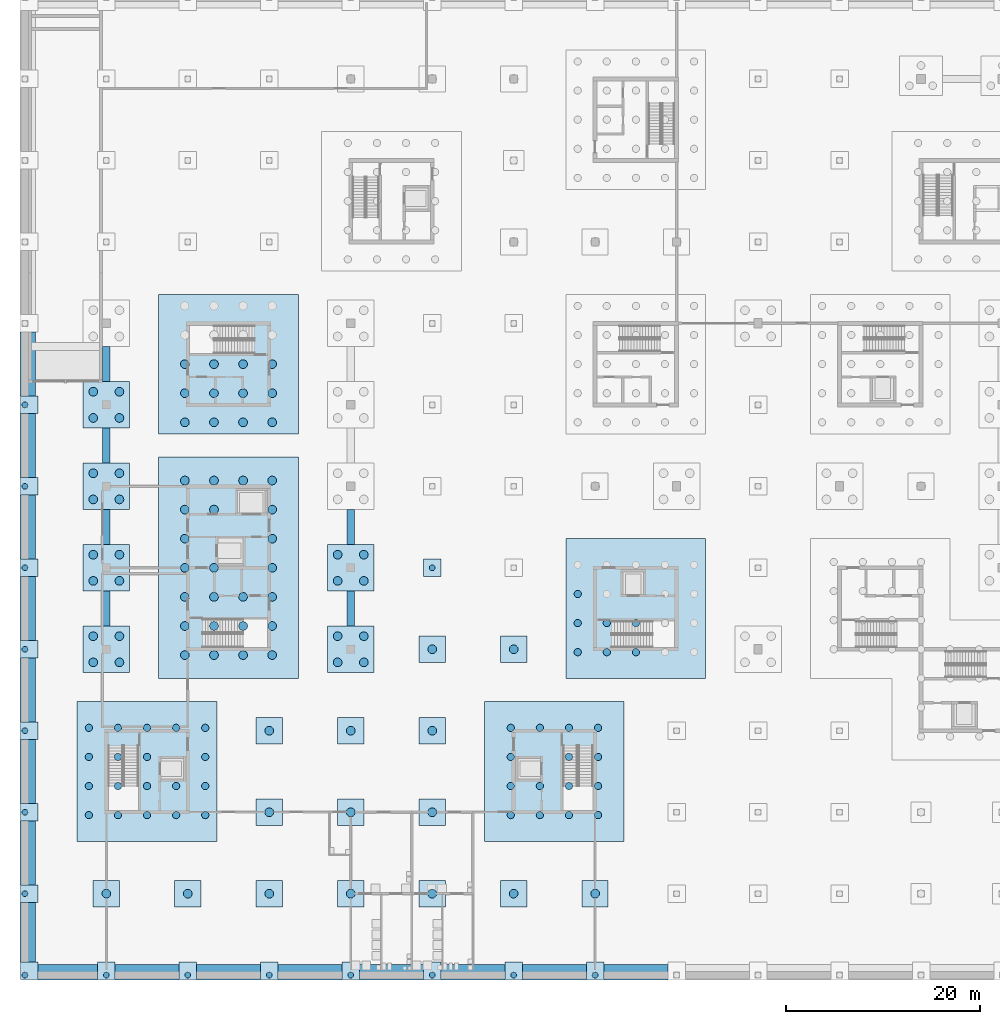
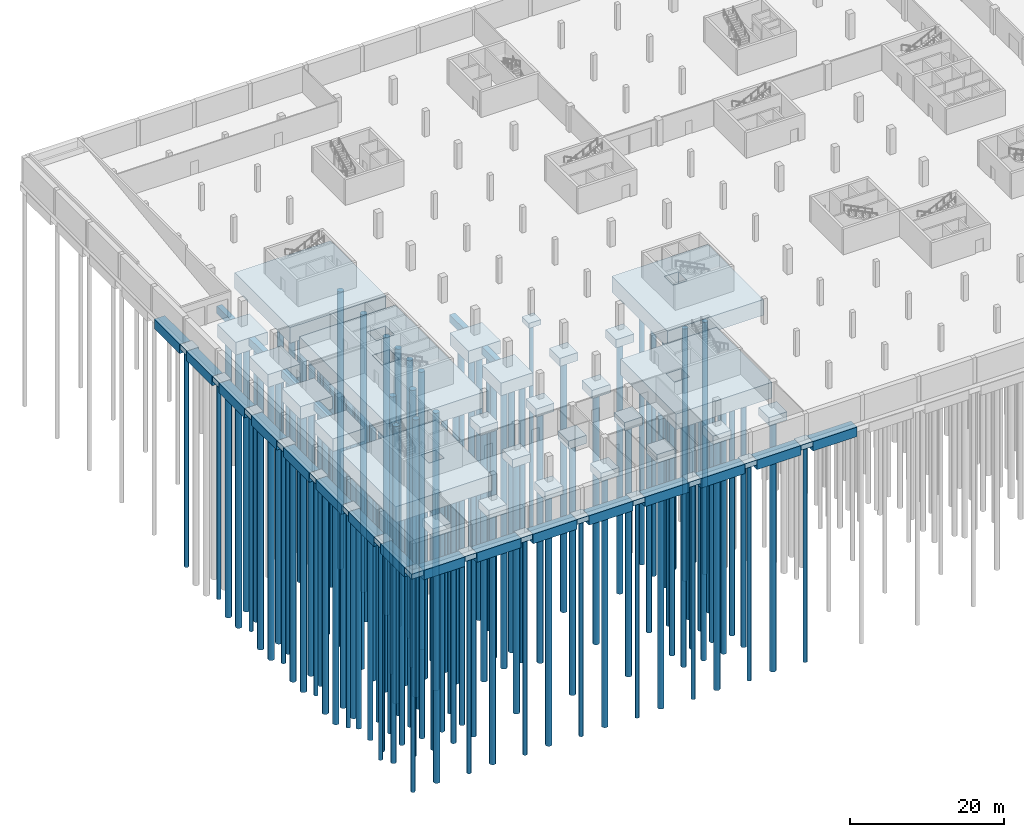
# One storey, part 1 of 23: 132 piles, 64 footings.
"""IFC4 building model written with IfcOpenShell, lengths in metres."""

from ifc_helpers import new_model, si_unit, direction, frame, origin, origin_2d, place, context, subcontext, project, spatial, polyline, rectangle, circle, outline, extrude, material, layer, layer_set, material_profile, profile_set, type_object, element, save


model = new_model("IFC4")

# Units and contexts
model_context = context("Model", 3, precision=1e-05, world=origin(), true_north=direction((0.0, 1.0)))
body_context = subcontext(model_context, "Body", "Model", "MODEL_VIEW")
ifc_project = project(units=[si_unit("LENGTHUNIT", "METRE"), si_unit("AREAUNIT", "SQUARE_METRE"), si_unit("VOLUMEUNIT", "CUBIC_METRE"), si_unit("PLANEANGLEUNIT", "RADIAN"), si_unit("MASSUNIT", "GRAM", prefix="KILO")], contexts=[model_context])

# Site, building, storey
site_placement = place(None, origin())
site = spatial("IfcSite", under=ifc_project, at=site_placement, CompositionType="ELEMENT")
building_placement = place(site_placement, origin())
building = spatial("IfcBuilding", under=site, at=building_placement, Name="Hlaing Beacon Police Headquarters", CompositionType="ELEMENT")
storey_placement = place(building_placement, frame((0.0, 0.0, -4.5)))
storey = spatial("IfcBuildingStorey", under=building, at=storey_placement, Name="B1", CompositionType="ELEMENT", Elevation=-4.5)

# Piles
ifc_material_1 = material(Name="Concrete C40/50", Category="concrete")
ifc_material_profile_1 = material_profile(ifc_material_1, circle(Radius=0.300048828125, at=origin_2d()), Name="D600")
ifc_profile_set_1 = profile_set([ifc_material_profile_1], Name="Concrete C40/50")
pile_type_1 = type_object("IfcPileType", Name="Bored pile D600 L34", PredefinedType="BORED", material=ifc_profile_set_1)
for number, where, z_axis, x_axis, name in (
    (1, (0.0, 0.0, -1.39990234375), (0.0, 0.0, -1.0), (1.0, 0.0, 0.0), "STR-PILE-A1"),
    (2, (0.0, 8.39990234375, -1.39990234375), (0.0, 0.0, -1.0), (1.0, 0.0, 0.0), "STR-PILE-A2"),
    (3, (0.0, 16.800048828125, -1.39990234375), (0.0, 0.0, -1.0), (1.0, 0.0, 0.0), "STR-PILE-A3"),
    (4, (0.0, 25.199951171875, -1.39990234375), (0.0, 0.0, -1.0), (1.0, 0.0, 0.0), "STR-PILE-A4"),
    (5, (0.0, 33.60009765625, -1.39990234375), (0.0, 0.0, -1.0), (1.0, 0.0, 0.0), "STR-PILE-A5"),
    (6, (0.0, 42.0, -1.39990234375), (0.0, 0.0, -1.0), (1.0, 0.0, 0.0), "STR-PILE-A6"),
    (7, (0.0, 50.39990234375, -1.39990234375), (0.0, 0.0, -1.0), (1.0, 0.0, 0.0), "STR-PILE-A7"),
    (8, (0.0, 58.800048828125, -1.39990234375), (0.0, 0.0, -1.0), (1.0, 0.0, 0.0), "STR-PILE-A8"),
    (9, (8.39990234375, 0.0, -1.39990234375), (0.0, 0.0, -1.0), (1.0, 0.0, 0.0), "STR-PILE-B1"),
    (10, (16.800048828125, 0.0, -1.39990234375), (0.0, 0.0, -1.0), (1.0, 0.0, 0.0), "STR-PILE-C1"),
    (11, (25.199951171875, 0.0, -1.39990234375), (0.0, 0.0, -1.0), (1.0, 0.0, 0.0), "STR-PILE-D1"),
    (12, (33.60009765625, 0.0, -1.39990234375), (0.0, 0.0, -1.0), (1.0, 0.0, 0.0), "STR-PILE-E1"),
    (13, (42.0, 0.0, -1.39990234375), (0.0, 0.0, -1.0), (1.0, 0.0, 0.0), "STR-PILE-F1"),
    (14, (42.0, 42.0, -1.39990234375), (0.0, 0.0, -1.0), (1.0, 0.0, 0.0), "STR-PILE-F6"),
    (15, (50.39990234375, 0.0, -1.39990234375), (0.0, 0.0, -1.0), (1.0, 0.0, 0.0), "STR-PILE-G1"),
    (16, (58.800048828125, 0.0, -1.39990234375), (0.0, 0.0, -1.0), (1.0, 0.0, 0.0), "STR-PILE-H1"),
):
    element("IfcPile", number, at=place(storey_placement, frame(where, z_axis=z_axis, x_axis=x_axis)), inside=storey, type_object=pile_type_1, Name=name, PredefinedType="BORED", context=body_context, shape_type="SweptSolid", body=[
        extrude(circle(Radius=0.300048828125, at=origin_2d()), origin(), (0.0, 0.0, 1.0), 34.0),
    ])
ifc_material_2 = material(Name="Concrete C40/50", Category="concrete")
ifc_material_profile_2 = material_profile(ifc_material_2, circle(Radius=0.375, at=origin_2d()), Name="D750")
ifc_profile_set_2 = profile_set([ifc_material_profile_2], Name="Concrete C40/50")
pile_type_2 = type_object("IfcPileType", Name="Bored pile D750 L40", PredefinedType="BORED", material=ifc_profile_set_2)
for number, where, z_axis, x_axis, name in (
    (17, (57.0, 33.300048828125, -3.10009765625), (0.0, 0.0, -1.0), (1.0, 0.0, 0.0), "STR-PILE-RFC1a-0101"),
    (18, (57.0, 36.300048828125, -3.10009765625), (0.0, 0.0, -1.0), (1.0, 0.0, 0.0), "STR-PILE-RFC1a-0102"),
    (19, (57.0, 39.300048828125, -3.10009765625), (0.0, 0.0, -1.0), (1.0, 0.0, 0.0), "STR-PILE-RFC1a-0103"),
    (20, (60.0, 33.300048828125, -3.10009765625), (0.0, 0.0, -1.0), (1.0, 0.0, 0.0), "STR-PILE-RFC1a-0201"),
    (21, (60.0, 36.300048828125, -3.10009765625), (0.0, 0.0, -1.0), (1.0, 0.0, 0.0), "STR-PILE-RFC1a-0202"),
    (22, (63.0, 33.300048828125, -3.10009765625), (0.0, 0.0, -1.0), (1.0, 0.0, 0.0), "STR-PILE-RFC1a-0301"),
    (23, (63.0, 36.300048828125, -3.10009765625), (0.0, 0.0, -1.0), (1.0, 0.0, 0.0), "STR-PILE-RFC1a-0302"),
    (24, (6.60009765625, 16.5, -3.10009765625), (0.0, 0.0, -1.0), (1.0, 0.0, 0.0), "STR-PILE-RFC4a-0101"),
    (25, (6.60009765625, 19.5, -3.10009765625), (0.0, 0.0, -1.0), (1.0, 0.0, 0.0), "STR-PILE-RFC4a-0102"),
    (26, (6.60009765625, 22.5, -3.10009765625), (0.0, 0.0, -1.0), (1.0, 0.0, 0.0), "STR-PILE-RFC4a-0103"),
    (27, (6.60009765625, 25.5, -3.10009765625), (0.0, 0.0, -1.0), (1.0, 0.0, 0.0), "STR-PILE-RFC4a-0104"),
    (28, (9.60009765625, 16.5, -3.10009765625), (0.0, 0.0, -1.0), (1.0, 0.0, 0.0), "STR-PILE-RFC4a-0201"),
    (29, (9.60009765625, 19.5, -3.10009765625), (0.0, 0.0, -1.0), (1.0, 0.0, 0.0), "STR-PILE-RFC4a-0202"),
    (30, (9.60009765625, 22.5, -3.10009765625), (0.0, 0.0, -1.0), (1.0, 0.0, 0.0), "STR-PILE-RFC4a-0203"),
    (31, (9.60009765625, 25.5, -3.10009765625), (0.0, 0.0, -1.0), (1.0, 0.0, 0.0), "STR-PILE-RFC4a-0204"),
    (32, (12.60009765625, 16.5, -3.10009765625), (0.0, 0.0, -1.0), (1.0, 0.0, 0.0), "STR-PILE-RFC4a-0301"),
    (33, (12.60009765625, 19.5, -3.10009765625), (0.0, 0.0, -1.0), (1.0, 0.0, 0.0), "STR-PILE-RFC4a-0302"),
    (34, (12.60009765625, 22.5, -3.10009765625), (0.0, 0.0, -1.0), (1.0, 0.0, 0.0), "STR-PILE-RFC4a-0303"),
    (35, (12.60009765625, 25.5, -3.10009765625), (0.0, 0.0, -1.0), (1.0, 0.0, 0.0), "STR-PILE-RFC4a-0304"),
    (36, (15.60009765625, 16.5, -3.10009765625), (0.0, 0.0, -1.0), (1.0, 0.0, 0.0), "STR-PILE-RFC4a-0401"),
    (37, (15.60009765625, 19.5, -3.10009765625), (0.0, 0.0, -1.0), (1.0, 0.0, 0.0), "STR-PILE-RFC4a-0402"),
    (38, (15.60009765625, 25.5, -3.10009765625), (0.0, 0.0, -1.0), (1.0, 0.0, 0.0), "STR-PILE-RFC4a-0404"),
    (39, (18.60009765625, 16.5, -3.10009765625), (0.0, 0.0, -1.0), (1.0, 0.0, 0.0), "STR-PILE-RFC4a-0501"),
    (40, (18.60009765625, 19.5, -3.10009765625), (0.0, 0.0, -1.0), (1.0, 0.0, 0.0), "STR-PILE-RFC4a-0502"),
    (41, (18.60009765625, 22.5, -3.10009765625), (0.0, 0.0, -1.0), (1.0, 0.0, 0.0), "STR-PILE-RFC4a-0503"),
    (42, (18.60009765625, 25.5, -3.10009765625), (0.0, 0.0, -1.0), (1.0, 0.0, 0.0), "STR-PILE-RFC4a-0504"),
    (43, (50.10009765625, 16.5, -3.10009765625), (0.0, 0.0, -1.0), (1.0, 0.0, 0.0), "STR-PILE-RFC4b-0101"),
    (44, (50.10009765625, 19.5, -3.10009765625), (0.0, 0.0, -1.0), (1.0, 0.0, 0.0), "STR-PILE-RFC4b-0102"),
    (45, (50.10009765625, 22.5, -3.10009765625), (0.0, 0.0, -1.0), (1.0, 0.0, 0.0), "STR-PILE-RFC4b-0103"),
    (46, (50.10009765625, 25.5, -3.10009765625), (0.0, 0.0, -1.0), (1.0, 0.0, 0.0), "STR-PILE-RFC4b-0104"),
    (47, (53.10009765625, 16.5, -3.10009765625), (0.0, 0.0, -1.0), (1.0, 0.0, 0.0), "STR-PILE-RFC4b-0201"),
    (48, (53.10009765625, 19.5, -3.10009765625), (0.0, 0.0, -1.0), (1.0, 0.0, 0.0), "STR-PILE-RFC4b-0202"),
    (49, (53.10009765625, 25.5, -3.10009765625), (0.0, 0.0, -1.0), (1.0, 0.0, 0.0), "STR-PILE-RFC4b-0204"),
    (50, (56.10009765625, 16.5, -3.10009765625), (0.0, 0.0, -1.0), (1.0, 0.0, 0.0), "STR-PILE-RFC4b-0301"),
    (51, (56.10009765625, 19.5, -3.10009765625), (0.0, 0.0, -1.0), (1.0, 0.0, 0.0), "STR-PILE-RFC4b-0302"),
    (52, (56.10009765625, 22.5, -3.10009765625), (0.0, 0.0, -1.0), (1.0, 0.0, 0.0), "STR-PILE-RFC4b-0303"),
    (53, (56.10009765625, 25.5, -3.10009765625), (0.0, 0.0, -1.0), (1.0, 0.0, 0.0), "STR-PILE-RFC4b-0304"),
    (54, (59.10009765625, 16.5, -3.10009765625), (0.0, 0.0, -1.0), (1.0, 0.0, 0.0), "STR-PILE-RFC4b-0401"),
    (55, (59.10009765625, 19.5, -3.10009765625), (0.0, 0.0, -1.0), (1.0, 0.0, 0.0), "STR-PILE-RFC4b-0402"),
    (56, (59.10009765625, 22.5, -3.10009765625), (0.0, 0.0, -1.0), (1.0, 0.0, 0.0), "STR-PILE-RFC4b-0403"),
    (57, (59.10009765625, 25.5, -3.10009765625), (0.0, 0.0, -1.0), (1.0, 0.0, 0.0), "STR-PILE-RFC4b-0404"),
):
    element("IfcPile", number, at=place(storey_placement, frame(where, z_axis=z_axis, x_axis=x_axis)), inside=storey, type_object=pile_type_2, Name=name, PredefinedType="BORED", context=body_context, shape_type="SweptSolid", body=[
        extrude(circle(Radius=0.375, at=origin_2d()), origin(), (0.0, 0.0, 1.0), 40.0),
    ])
ifc_material_3 = material(Name="Concrete C40/50", Category="concrete")
ifc_material_profile_3 = material_profile(ifc_material_3, circle(Radius=0.449951171875, at=origin_2d()), Name="D900")
ifc_profile_set_3 = profile_set([ifc_material_profile_3], Name="Concrete C40/50")
pile_type_3 = type_object("IfcPileType", Name="Bored pile D900 L40", PredefinedType="BORED", material=ifc_profile_set_3)
for number, where, z_axis, x_axis, name in (
    (58, (8.39990234375, 8.39990234375, -1.89990234375), (0.0, 0.0, -1.0), (1.0, 0.0, 0.0), "STR-PILE-B2"),
    (59, (16.800048828125, 8.39990234375, -1.89990234375), (0.0, 0.0, -1.0), (1.0, 0.0, 0.0), "STR-PILE-C2"),
    (60, (25.199951171875, 8.39990234375, -1.89990234375), (0.0, 0.0, -1.0), (1.0, 0.0, 0.0), "STR-PILE-D2"),
    (61, (25.199951171875, 16.800048828125, -1.89990234375), (0.0, 0.0, -1.0), (1.0, 0.0, 0.0), "STR-PILE-D3"),
    (62, (25.199951171875, 25.199951171875, -1.89990234375), (0.0, 0.0, -1.0), (1.0, 0.0, 0.0), "STR-PILE-D4"),
    (63, (33.60009765625, 8.39990234375, -1.89990234375), (0.0, 0.0, -1.0), (1.0, 0.0, 0.0), "STR-PILE-E2"),
    (64, (33.60009765625, 16.800048828125, -1.89990234375), (0.0, 0.0, -1.0), (1.0, 0.0, 0.0), "STR-PILE-E3"),
    (65, (33.60009765625, 25.199951171875, -1.89990234375), (0.0, 0.0, -1.0), (1.0, 0.0, 0.0), "STR-PILE-E4"),
    (66, (42.0, 8.39990234375, -1.89990234375), (0.0, 0.0, -1.0), (1.0, 0.0, 0.0), "STR-PILE-F2"),
    (67, (42.0, 16.800048828125, -1.89990234375), (0.0, 0.0, -1.0), (1.0, 0.0, 0.0), "STR-PILE-F3"),
    (68, (42.0, 25.199951171875, -1.89990234375), (0.0, 0.0, -1.0), (1.0, 0.0, 0.0), "STR-PILE-F4"),
    (69, (42.0, 33.60009765625, -1.89990234375), (0.0, 0.0, -1.0), (1.0, 0.0, 0.0), "STR-PILE-F5"),
    (70, (50.39990234375, 8.39990234375, -1.89990234375), (0.0, 0.0, -1.0), (1.0, 0.0, 0.0), "STR-PILE-G2"),
    (71, (50.39990234375, 33.60009765625, -1.89990234375), (0.0, 0.0, -1.0), (1.0, 0.0, 0.0), "STR-PILE-G5"),
    (72, (58.800048828125, 8.39990234375, -1.89990234375), (0.0, 0.0, -1.0), (1.0, 0.0, 0.0), "STR-PILE-H2"),
):
    element("IfcPile", number, at=place(storey_placement, frame(where, z_axis=z_axis, x_axis=x_axis)), inside=storey, type_object=pile_type_3, Name=name, PredefinedType="BORED", context=body_context, shape_type="SweptSolid", body=[
        extrude(circle(Radius=0.449951171875, at=origin_2d()), origin(), (0.0, 0.0, 1.0), 40.0),
    ])
ifc_material_4 = material(Name="Concrete C40/50", Category="concrete")
ifc_material_profile_4 = material_profile(ifc_material_4, circle(Radius=0.449951171875, at=origin_2d()), Name="D900")
ifc_profile_set_4 = profile_set([ifc_material_profile_4], Name="Concrete C40/50")
pile_type_4 = type_object("IfcPileType", Name="Bored pile D900 L44", PredefinedType="BORED", material=ifc_profile_set_4)
for number, where, z_axis, x_axis, name in (
    (73, (7.050048828125, 32.25, -2.60009765625), (0.0, 0.0, -1.0), (1.0, 0.0, 0.0), "STR-PILE-B5-1"),
    (74, (9.75, 32.25, -2.60009765625), (0.0, 0.0, -1.0), (1.0, 0.0, 0.0), "STR-PILE-B5-2"),
    (75, (9.75, 34.949951171875, -2.60009765625), (0.0, 0.0, -1.0), (1.0, 0.0, 0.0), "STR-PILE-B5-3"),
    (76, (7.050048828125, 34.949951171875, -2.60009765625), (0.0, 0.0, -1.0), (1.0, 0.0, 0.0), "STR-PILE-B5-4"),
    (77, (7.050048828125, 40.64990234375, -2.60009765625), (0.0, 0.0, -1.0), (1.0, 0.0, 0.0), "STR-PILE-B6-1"),
    (78, (9.75, 40.64990234375, -2.60009765625), (0.0, 0.0, -1.0), (1.0, 0.0, 0.0), "STR-PILE-B6-2"),
    (79, (9.75, 43.35009765625, -2.60009765625), (0.0, 0.0, -1.0), (1.0, 0.0, 0.0), "STR-PILE-B6-3"),
    (80, (7.050048828125, 43.35009765625, -2.60009765625), (0.0, 0.0, -1.0), (1.0, 0.0, 0.0), "STR-PILE-B6-4"),
    (81, (7.050048828125, 49.050048828125, -2.60009765625), (0.0, 0.0, -1.0), (1.0, 0.0, 0.0), "STR-PILE-B7-1"),
    (82, (9.75, 49.050048828125, -2.60009765625), (0.0, 0.0, -1.0), (1.0, 0.0, 0.0), "STR-PILE-B7-2"),
    (83, (9.75, 51.75, -2.60009765625), (0.0, 0.0, -1.0), (1.0, 0.0, 0.0), "STR-PILE-B7-3"),
    (84, (7.050048828125, 51.75, -2.60009765625), (0.0, 0.0, -1.0), (1.0, 0.0, 0.0), "STR-PILE-B7-4"),
    (85, (7.050048828125, 57.449951171875, -2.60009765625), (0.0, 0.0, -1.0), (1.0, 0.0, 0.0), "STR-PILE-B8-1"),
    (86, (9.75, 57.449951171875, -2.60009765625), (0.0, 0.0, -1.0), (1.0, 0.0, 0.0), "STR-PILE-B8-2"),
    (87, (9.75, 60.14990234375, -2.60009765625), (0.0, 0.0, -1.0), (1.0, 0.0, 0.0), "STR-PILE-B8-3"),
    (88, (7.050048828125, 60.14990234375, -2.60009765625), (0.0, 0.0, -1.0), (1.0, 0.0, 0.0), "STR-PILE-B8-4"),
    (89, (32.25, 32.25, -2.60009765625), (0.0, 0.0, -1.0), (1.0, 0.0, 0.0), "STR-PILE-E5-1"),
    (90, (34.949951171875, 32.25, -2.60009765625), (0.0, 0.0, -1.0), (1.0, 0.0, 0.0), "STR-PILE-E5-2"),
    (91, (34.949951171875, 34.949951171875, -2.60009765625), (0.0, 0.0, -1.0), (1.0, 0.0, 0.0), "STR-PILE-E5-3"),
    (92, (32.25, 34.949951171875, -2.60009765625), (0.0, 0.0, -1.0), (1.0, 0.0, 0.0), "STR-PILE-E5-4"),
    (93, (32.25, 40.64990234375, -2.60009765625), (0.0, 0.0, -1.0), (1.0, 0.0, 0.0), "STR-PILE-E6-1"),
    (94, (34.949951171875, 40.64990234375, -2.60009765625), (0.0, 0.0, -1.0), (1.0, 0.0, 0.0), "STR-PILE-E6-2"),
    (95, (34.949951171875, 43.35009765625, -2.60009765625), (0.0, 0.0, -1.0), (1.0, 0.0, 0.0), "STR-PILE-E6-3"),
    (96, (32.25, 43.35009765625, -2.60009765625), (0.0, 0.0, -1.0), (1.0, 0.0, 0.0), "STR-PILE-E6-4"),
    (97, (16.5, 33.0, -3.10009765625), (0.0, 0.0, -1.0), (1.0, 0.0, 0.0), "STR-PILE-RFC6L-0101"),
    (98, (16.5, 36.0, -3.10009765625), (0.0, 0.0, -1.0), (1.0, 0.0, 0.0), "STR-PILE-RFC6L-0102"),
    (99, (16.5, 39.0, -3.10009765625), (0.0, 0.0, -1.0), (1.0, 0.0, 0.0), "STR-PILE-RFC6L-0103"),
    (100, (16.5, 42.0, -3.10009765625), (0.0, 0.0, -1.0), (1.0, 0.0, 0.0), "STR-PILE-RFC6L-0104"),
    (101, (16.5, 45.0, -3.10009765625), (0.0, 0.0, -1.0), (1.0, 0.0, 0.0), "STR-PILE-RFC6L-0105"),
    (102, (16.5, 48.0, -3.10009765625), (0.0, 0.0, -1.0), (1.0, 0.0, 0.0), "STR-PILE-RFC6L-0106"),
    (103, (16.5, 51.0, -3.10009765625), (0.0, 0.0, -1.0), (1.0, 0.0, 0.0), "STR-PILE-RFC6L-0107"),
    (104, (19.5, 33.0, -3.10009765625), (0.0, 0.0, -1.0), (1.0, 0.0, 0.0), "STR-PILE-RFC6L-0201"),
    (105, (19.5, 36.0, -3.10009765625), (0.0, 0.0, -1.0), (1.0, 0.0, 0.0), "STR-PILE-RFC6L-0202"),
    (106, (19.5, 39.0, -3.10009765625), (0.0, 0.0, -1.0), (1.0, 0.0, 0.0), "STR-PILE-RFC6L-0203"),
    (107, (19.5, 42.0, -3.10009765625), (0.0, 0.0, -1.0), (1.0, 0.0, 0.0), "STR-PILE-RFC6L-0204"),
    (108, (19.5, 48.0, -3.10009765625), (0.0, 0.0, -1.0), (1.0, 0.0, 0.0), "STR-PILE-RFC6L-0206"),
    (109, (19.5, 51.0, -3.10009765625), (0.0, 0.0, -1.0), (1.0, 0.0, 0.0), "STR-PILE-RFC6L-0207"),
    (110, (22.5, 33.0, -3.10009765625), (0.0, 0.0, -1.0), (1.0, 0.0, 0.0), "STR-PILE-RFC6L-0301"),
    (111, (22.5, 36.0, -3.10009765625), (0.0, 0.0, -1.0), (1.0, 0.0, 0.0), "STR-PILE-RFC6L-0302"),
    (112, (22.5, 39.0, -3.10009765625), (0.0, 0.0, -1.0), (1.0, 0.0, 0.0), "STR-PILE-RFC6L-0303"),
    (113, (22.5, 51.0, -3.10009765625), (0.0, 0.0, -1.0), (1.0, 0.0, 0.0), "STR-PILE-RFC6L-0307"),
    (114, (25.5, 33.0, -3.10009765625), (0.0, 0.0, -1.0), (1.0, 0.0, 0.0), "STR-PILE-RFC6L-0401"),
    (115, (25.5, 36.0, -3.10009765625), (0.0, 0.0, -1.0), (1.0, 0.0, 0.0), "STR-PILE-RFC6L-0402"),
    (116, (25.5, 39.0, -3.10009765625), (0.0, 0.0, -1.0), (1.0, 0.0, 0.0), "STR-PILE-RFC6L-0403"),
    (117, (25.5, 42.0, -3.10009765625), (0.0, 0.0, -1.0), (1.0, 0.0, 0.0), "STR-PILE-RFC6L-0404"),
    (118, (25.5, 45.0, -3.10009765625), (0.0, 0.0, -1.0), (1.0, 0.0, 0.0), "STR-PILE-RFC6L-0405"),
    (119, (25.5, 48.0, -3.10009765625), (0.0, 0.0, -1.0), (1.0, 0.0, 0.0), "STR-PILE-RFC6L-0406"),
    (120, (25.5, 51.0, -3.10009765625), (0.0, 0.0, -1.0), (1.0, 0.0, 0.0), "STR-PILE-RFC6L-0407"),
    (121, (16.5, 57.0, -3.10009765625), (0.0, 0.0, -1.0), (1.0, 0.0, 0.0), "STR-PILE-RFC6N-0101"),
    (122, (16.5, 60.0, -3.10009765625), (0.0, 0.0, -1.0), (1.0, 0.0, 0.0), "STR-PILE-RFC6N-0102"),
    (123, (16.5, 63.0, -3.10009765625), (0.0, 0.0, -1.0), (1.0, 0.0, 0.0), "STR-PILE-RFC6N-0103"),
    (124, (19.5, 57.0, -3.10009765625), (0.0, 0.0, -1.0), (1.0, 0.0, 0.0), "STR-PILE-RFC6N-0201"),
    (125, (19.5, 60.0, -3.10009765625), (0.0, 0.0, -1.0), (1.0, 0.0, 0.0), "STR-PILE-RFC6N-0202"),
    (126, (19.5, 63.0, -3.10009765625), (0.0, 0.0, -1.0), (1.0, 0.0, 0.0), "STR-PILE-RFC6N-0203"),
    (127, (22.5, 57.0, -3.10009765625), (0.0, 0.0, -1.0), (1.0, 0.0, 0.0), "STR-PILE-RFC6N-0301"),
    (128, (22.5, 60.0, -3.10009765625), (0.0, 0.0, -1.0), (1.0, 0.0, 0.0), "STR-PILE-RFC6N-0302"),
    (129, (22.5, 63.0, -3.10009765625), (0.0, 0.0, -1.0), (1.0, 0.0, 0.0), "STR-PILE-RFC6N-0303"),
    (130, (25.5, 57.0, -3.10009765625), (0.0, 0.0, -1.0), (1.0, 0.0, 0.0), "STR-PILE-RFC6N-0401"),
    (131, (25.5, 60.0, -3.10009765625), (0.0, 0.0, -1.0), (1.0, 0.0, 0.0), "STR-PILE-RFC6N-0402"),
    (132, (25.5, 63.0, -3.10009765625), (0.0, 0.0, -1.0), (1.0, 0.0, 0.0), "STR-PILE-RFC6N-0403"),
):
    element("IfcPile", number, at=place(storey_placement, frame(where, z_axis=z_axis, x_axis=x_axis)), inside=storey, type_object=pile_type_4, Name=name, PredefinedType="BORED", context=body_context, shape_type="SweptSolid", body=[
        extrude(circle(Radius=0.449951171875, at=origin_2d()), origin(), (0.0, 0.0, 1.0), 44.0),
    ])

# Footings
ifc_material_5 = material(Name="Concrete C40/50", Category="concrete")
ifc_layer_1 = layer(ifc_material_5, 0.800048828125)
ifc_layer_set_1 = layer_set([ifc_layer_1], Name="Concrete C40/50")
footing_type_1 = type_object("IfcFootingType", Name="Pad footing 1800 x 1800 x 800", PredefinedType="PAD_FOOTING", material=ifc_layer_set_1)
for number, where, z_axis, x_axis, name in (
    (133, (0.449951171875, 0.449951171875, -1.39990234375), (0.0, 0.0, 1.0), (1.0, 0.0, 0.0), "STR-PAD-A1"),
    (134, (0.449951171875, 8.39990234375, -1.39990234375), (0.0, 0.0, 1.0), (1.0, 0.0, 0.0), "STR-PAD-A2"),
    (135, (0.449951171875, 16.800048828125, -1.39990234375), (0.0, 0.0, 1.0), (1.0, 0.0, 0.0), "STR-PAD-A3"),
    (136, (0.449951171875, 25.199951171875, -1.39990234375), (0.0, 0.0, 1.0), (1.0, 0.0, 0.0), "STR-PAD-A4"),
    (137, (0.449951171875, 33.60009765625, -1.39990234375), (0.0, 0.0, 1.0), (1.0, 0.0, 0.0), "STR-PAD-A5"),
    (138, (0.449951171875, 42.0, -1.39990234375), (0.0, 0.0, 1.0), (1.0, 0.0, 0.0), "STR-PAD-A6"),
    (139, (0.449951171875, 50.39990234375, -1.39990234375), (0.0, 0.0, 1.0), (1.0, 0.0, 0.0), "STR-PAD-A7"),
    (140, (0.449951171875, 58.800048828125, -1.39990234375), (0.0, 0.0, 1.0), (1.0, 0.0, 0.0), "STR-PAD-A8"),
    (141, (8.39990234375, 0.449951171875, -1.39990234375), (0.0, 0.0, 1.0), (1.0, 0.0, 0.0), "STR-PAD-B1"),
    (142, (16.800048828125, 0.449951171875, -1.39990234375), (0.0, 0.0, 1.0), (1.0, 0.0, 0.0), "STR-PAD-C1"),
    (143, (25.199951171875, 0.449951171875, -1.39990234375), (0.0, 0.0, 1.0), (1.0, 0.0, 0.0), "STR-PAD-D1"),
    (144, (33.60009765625, 0.449951171875, -1.39990234375), (0.0, 0.0, 1.0), (1.0, 0.0, 0.0), "STR-PAD-E1"),
    (145, (42.0, 0.449951171875, -1.39990234375), (0.0, 0.0, 1.0), (1.0, 0.0, 0.0), "STR-PAD-F1"),
    (146, (42.0, 42.0, -1.39990234375), (0.0, 0.0, 1.0), (1.0, 0.0, 0.0), "STR-PAD-F6"),
    (147, (50.39990234375, 0.449951171875, -1.39990234375), (0.0, 0.0, 1.0), (1.0, 0.0, 0.0), "STR-PAD-G1"),
    (148, (58.800048828125, 0.449951171875, -1.39990234375), (0.0, 0.0, 1.0), (1.0, 0.0, 0.0), "STR-PAD-H1"),
):
    element("IfcFooting", number, at=place(storey_placement, frame(where, z_axis=z_axis, x_axis=x_axis)), inside=storey, type_object=footing_type_1, Name=name, PredefinedType="PAD_FOOTING", context=body_context, shape_type="SweptSolid", body=[
        extrude(rectangle(XDim=1.800048828125, YDim=1.800048828125, at=origin_2d()), origin(), (0.0, 0.0, 1.0), 0.800048828125),
    ])
ifc_material_6 = material(Name="Concrete C40/50", Category="concrete")
ifc_layer_2 = layer(ifc_material_6, 1.300048828125)
ifc_layer_set_2 = layer_set([ifc_layer_2], Name="Concrete C40/50")
footing_type_2 = type_object("IfcFootingType", Name="Pad footing 2700 x 2700 x 1300", PredefinedType="PAD_FOOTING", material=ifc_layer_set_2)
for number, where, z_axis, x_axis, name in (
    (149, (8.39990234375, 8.39990234375, -1.89990234375), (0.0, 0.0, 1.0), (1.0, 0.0, 0.0), "STR-PAD-B2"),
    (150, (16.800048828125, 8.39990234375, -1.89990234375), (0.0, 0.0, 1.0), (1.0, 0.0, 0.0), "STR-PAD-C2"),
    (151, (25.199951171875, 8.39990234375, -1.89990234375), (0.0, 0.0, 1.0), (1.0, 0.0, 0.0), "STR-PAD-D2"),
    (152, (25.199951171875, 16.800048828125, -1.89990234375), (0.0, 0.0, 1.0), (1.0, 0.0, 0.0), "STR-PAD-D3"),
    (153, (25.199951171875, 25.199951171875, -1.89990234375), (0.0, 0.0, 1.0), (1.0, 0.0, 0.0), "STR-PAD-D4"),
    (154, (33.60009765625, 8.39990234375, -1.89990234375), (0.0, 0.0, 1.0), (1.0, 0.0, 0.0), "STR-PAD-E2"),
    (155, (33.60009765625, 16.800048828125, -1.89990234375), (0.0, 0.0, 1.0), (1.0, 0.0, 0.0), "STR-PAD-E3"),
    (156, (33.60009765625, 25.199951171875, -1.89990234375), (0.0, 0.0, 1.0), (1.0, 0.0, 0.0), "STR-PAD-E4"),
    (157, (42.0, 8.39990234375, -1.89990234375), (0.0, 0.0, 1.0), (1.0, 0.0, 0.0), "STR-PAD-F2"),
    (158, (42.0, 16.800048828125, -1.89990234375), (0.0, 0.0, 1.0), (1.0, 0.0, 0.0), "STR-PAD-F3"),
    (159, (42.0, 25.199951171875, -1.89990234375), (0.0, 0.0, 1.0), (1.0, 0.0, 0.0), "STR-PAD-F4"),
    (160, (42.0, 33.60009765625, -1.89990234375), (0.0, 0.0, 1.0), (1.0, 0.0, 0.0), "STR-PAD-F5"),
    (161, (50.39990234375, 8.39990234375, -1.89990234375), (0.0, 0.0, 1.0), (1.0, 0.0, 0.0), "STR-PAD-G2"),
    (162, (50.39990234375, 33.60009765625, -1.89990234375), (0.0, 0.0, 1.0), (1.0, 0.0, 0.0), "STR-PAD-G5"),
    (163, (58.800048828125, 8.39990234375, -1.89990234375), (0.0, 0.0, 1.0), (1.0, 0.0, 0.0), "STR-PAD-H2"),
):
    element("IfcFooting", number, at=place(storey_placement, frame(where, z_axis=z_axis, x_axis=x_axis)), inside=storey, type_object=footing_type_2, Name=name, PredefinedType="PAD_FOOTING", context=body_context, shape_type="SweptSolid", body=[
        extrude(rectangle(XDim=2.699951171875, YDim=2.699951171875, at=origin_2d()), origin(), (0.0, 0.0, 1.0), 1.300048828125),
    ])
ifc_material_7 = material(Name="Concrete C40/50", Category="concrete")
ifc_layer_3 = layer(ifc_material_7, 2.0)
ifc_layer_set_3 = layer_set([ifc_layer_3], Name="Concrete C40/50")
footing_type_3 = type_object("IfcFootingType", Name="Pile cap 4800 x 4800 x 2000", PredefinedType="PILE_CAP", material=ifc_layer_set_3)
for number, where, z_axis, x_axis, name in (
    (164, (8.39990234375, 33.60009765625, -2.60009765625), (0.0, 0.0, 1.0), (1.0, 0.0, 0.0), "STR-CAP-B5"),
    (165, (8.39990234375, 42.0, -2.60009765625), (0.0, 0.0, 1.0), (1.0, 0.0, 0.0), "STR-CAP-B6"),
    (166, (8.39990234375, 50.39990234375, -2.60009765625), (0.0, 0.0, 1.0), (1.0, 0.0, 0.0), "STR-CAP-B7"),
    (167, (8.39990234375, 58.800048828125, -2.60009765625), (0.0, 0.0, 1.0), (1.0, 0.0, 0.0), "STR-CAP-B8"),
    (168, (33.60009765625, 33.60009765625, -2.60009765625), (0.0, 0.0, 1.0), (1.0, 0.0, 0.0), "STR-CAP-E5"),
    (169, (33.60009765625, 42.0, -2.60009765625), (0.0, 0.0, 1.0), (1.0, 0.0, 0.0), "STR-CAP-E6"),
):
    element("IfcFooting", number, at=place(storey_placement, frame(where, z_axis=z_axis, x_axis=x_axis)), inside=storey, type_object=footing_type_3, Name=name, PredefinedType="PILE_CAP", context=body_context, shape_type="SweptSolid", body=[
        extrude(rectangle(XDim=4.800048828125, YDim=4.800048828125, at=origin_2d()), origin(), (0.0, 0.0, 1.0), 2.0),
    ])
ifc_material_8 = material(Name="Concrete C40/50", Category="concrete")
ifc_layer_4 = layer(ifc_material_8, 2.5)
ifc_layer_set_4 = layer_set([ifc_layer_4], Name="Concrete C40/50")
footing_type_4 = type_object("IfcFootingType", Name="Piled raft 2500 14400 x 14400", PredefinedType="PILE_CAP", material=ifc_layer_set_4)
footing_1_placement = place(storey_placement, frame((0.0, 0.0, -3.10009765625)))
element("IfcFooting", 170, at=footing_1_placement, inside=storey, type_object=footing_type_4, Name="STR-RAFT-C1a", PredefinedType="PILE_CAP", context=body_context, shape_type="SweptSolid", body=[
    extrude(outline(polyline([(70.199951171875, 30.60009765625), (55.800048828125, 30.60009765625), (55.800048828125, 45.0), (70.199951171875, 45.0), (70.199951171875, 30.60009765625)]), holes=[polyline([(63.800048828125, 39.25), (63.800048828125, 41.550048828125), (61.64990234375, 41.550048828125), (61.64990234375, 39.25), (63.800048828125, 39.25)])]), origin(), (0.0, 0.0, 1.0), 2.5),
])
footing_2_placement = place(storey_placement, frame((0.0, 0.0, -3.10009765625)))
element("IfcFooting", 171, at=footing_2_placement, inside=storey, type_object=footing_type_4, Name="STR-RAFT-C4a", PredefinedType="PILE_CAP", context=body_context, shape_type="SweptSolid", body=[
    extrude(outline(polyline([(19.800048828125, 13.800048828125), (5.39990234375, 13.800048828125), (5.39990234375, 28.199951171875), (19.800048828125, 28.199951171875), (19.800048828125, 13.800048828125)]), holes=[polyline([(16.35009765625, 20.199951171875), (16.35009765625, 22.35009765625), (14.050048828125, 22.35009765625), (14.050048828125, 20.199951171875), (16.35009765625, 20.199951171875)])]), origin(), (0.0, 0.0, 1.0), 2.5),
])
footing_3_placement = place(storey_placement, frame((0.0, 0.0, -3.10009765625)))
element("IfcFooting", 172, at=footing_3_placement, inside=storey, type_object=footing_type_4, Name="STR-RAFT-C4b", PredefinedType="PILE_CAP", context=body_context, shape_type="SweptSolid", body=[
    extrude(outline(polyline([(61.800048828125, 13.800048828125), (47.39990234375, 13.800048828125), (47.39990234375, 28.199951171875), (61.800048828125, 28.199951171875), (61.800048828125, 13.800048828125)]), holes=[polyline([(53.14990234375, 20.199951171875), (53.14990234375, 22.35009765625), (50.85009765625, 22.35009765625), (50.85009765625, 20.199951171875), (53.14990234375, 20.199951171875)])]), origin(), (0.0, 0.0, 1.0), 2.5),
])
footing_4_placement = place(storey_placement, frame((0.0, 0.0, -3.10009765625)))
element("IfcFooting", 173, at=footing_4_placement, inside=storey, type_object=footing_type_4, Name="STR-RAFT-C6N", PredefinedType="PILE_CAP", context=body_context, shape_type="SweptSolid", body=[
    extrude(outline(polyline([(28.199951171875, 55.800048828125), (13.800048828125, 55.800048828125), (13.800048828125, 70.199951171875), (28.199951171875, 70.199951171875), (28.199951171875, 55.800048828125)])), origin(), (0.0, 0.0, 1.0), 2.5),
])
ifc_material_9 = material(Name="Concrete C40/50", Category="concrete")
ifc_layer_5 = layer(ifc_material_9, 2.5)
ifc_layer_set_5 = layer_set([ifc_layer_5], Name="Concrete C40/50")
footing_type_5 = type_object("IfcFootingType", Name="Piled raft 2500 14400 x 22800", PredefinedType="PILE_CAP", material=ifc_layer_set_5)
footing_5_placement = place(storey_placement, frame((0.0, 0.0, -3.10009765625)))
element("IfcFooting", 174, at=footing_5_placement, inside=storey, type_object=footing_type_5, Name="STR-RAFT-C6L", PredefinedType="PILE_CAP", context=body_context, shape_type="SweptSolid", body=[
    extrude(outline(polyline([(28.199951171875, 30.60009765625), (13.800048828125, 30.60009765625), (13.800048828125, 39.0), (13.800048828125, 45.0), (13.800048828125, 53.39990234375), (28.199951171875, 53.39990234375), (28.199951171875, 45.0), (28.199951171875, 39.0), (28.199951171875, 30.60009765625)]), holes=[polyline([(24.75, 47.64990234375), (24.75, 49.949951171875), (21.949951171875, 49.949951171875), (21.949951171875, 47.64990234375), (24.75, 47.64990234375)]), polyline([(22.5, 42.449951171875), (22.5, 45.050048828125), (19.89990234375, 45.050048828125), (19.89990234375, 42.449951171875), (22.5, 42.449951171875)])]), origin(), (0.0, 0.0, 1.0), 2.5),
])
ifc_material_10 = material(Name="Concrete C40/50", Category="concrete")
ifc_layer_6 = layer(ifc_material_10, 1.5)
ifc_layer_set_6 = layer_set([ifc_layer_6], Name="Concrete C40/50")
footing_type_6 = type_object("IfcFootingType", Name="Strip footing 1600 x 1500", PredefinedType="STRIP_FOOTING", material=ifc_layer_set_6)
footing_6_placement = place(storey_placement, frame((4.425048828125, 0.300048828125, -2.10009765625), z_axis=(0.0, 0.0, 1.0), x_axis=(1.0, 0.0, 0.0)))
element("IfcFooting", 175, at=footing_6_placement, inside=storey, type_object=footing_type_6, Name="STR-STRIP-A1-B1", PredefinedType="STRIP_FOOTING", context=body_context, shape_type="SweptSolid", body=[
    extrude(rectangle(XDim=6.14990234375, YDim=1.60009765625, at=origin_2d()), origin(), (0.0, 0.0, 1.0), 1.5),
])
footing_7_placement = place(storey_placement, frame((0.300048828125, 4.425048828125, -2.10009765625), z_axis=(0.0, 0.0, 1.0), x_axis=(1.0, 0.0, 0.0)))
element("IfcFooting", 176, at=footing_7_placement, inside=storey, type_object=footing_type_6, Name="STR-STRIP-A1-A2", PredefinedType="STRIP_FOOTING", context=body_context, shape_type="SweptSolid", body=[
    extrude(rectangle(XDim=1.60009765625, YDim=6.14990234375, at=origin_2d()), origin(), (0.0, 0.0, 1.0), 1.5),
])
for number, where, z_axis, x_axis, name in (
    (177, (0.300048828125, 12.60009765625, -2.10009765625), (0.0, 0.0, 1.0), (1.0, 0.0, 0.0), "STR-STRIP-A2-A3"),
    (178, (0.300048828125, 21.0, -2.10009765625), (0.0, 0.0, 1.0), (1.0, 0.0, 0.0), "STR-STRIP-A3-A4"),
    (179, (0.300048828125, 29.39990234375, -2.10009765625), (0.0, 0.0, 1.0), (1.0, 0.0, 0.0), "STR-STRIP-A4-A5"),
    (180, (0.300048828125, 37.800048828125, -2.10009765625), (0.0, 0.0, 1.0), (1.0, 0.0, 0.0), "STR-STRIP-A5-A6"),
    (181, (0.300048828125, 46.199951171875, -2.10009765625), (0.0, 0.0, 1.0), (1.0, 0.0, 0.0), "STR-STRIP-A6-A7"),
    (182, (0.300048828125, 54.60009765625, -2.10009765625), (0.0, 0.0, 1.0), (1.0, 0.0, 0.0), "STR-STRIP-A7-A8"),
    (183, (0.300048828125, 63.0, -2.10009765625), (0.0, 0.0, 1.0), (1.0, 0.0, 0.0), "STR-STRIP-A8-A9"),
):
    element("IfcFooting", number, at=place(storey_placement, frame(where, z_axis=z_axis, x_axis=x_axis)), inside=storey, type_object=footing_type_6, Name=name, PredefinedType="STRIP_FOOTING", context=body_context, shape_type="SweptSolid", body=[
        extrude(rectangle(XDim=1.60009765625, YDim=6.60009765625, at=origin_2d()), origin(), (0.0, 0.0, 1.0), 1.5),
    ])
for number, where, z_axis, x_axis, name in (
    (184, (12.60009765625, 0.300048828125, -2.10009765625), (0.0, 0.0, 1.0), (1.0, 0.0, 0.0), "STR-STRIP-B1-C1"),
    (185, (21.0, 0.300048828125, -2.10009765625), (0.0, 0.0, 1.0), (1.0, 0.0, 0.0), "STR-STRIP-C1-D1"),
    (186, (29.39990234375, 0.300048828125, -2.10009765625), (0.0, 0.0, 1.0), (1.0, 0.0, 0.0), "STR-STRIP-D1-E1"),
    (187, (37.800048828125, 0.300048828125, -2.10009765625), (0.0, 0.0, 1.0), (1.0, 0.0, 0.0), "STR-STRIP-E1-F1"),
    (188, (46.199951171875, 0.300048828125, -2.10009765625), (0.0, 0.0, 1.0), (1.0, 0.0, 0.0), "STR-STRIP-F1-G1"),
    (189, (54.60009765625, 0.300048828125, -2.10009765625), (0.0, 0.0, 1.0), (1.0, 0.0, 0.0), "STR-STRIP-G1-H1"),
    (190, (63.0, 0.300048828125, -2.10009765625), (0.0, 0.0, 1.0), (1.0, 0.0, 0.0), "STR-STRIP-H1-J1"),
):
    element("IfcFooting", number, at=place(storey_placement, frame(where, z_axis=z_axis, x_axis=x_axis)), inside=storey, type_object=footing_type_6, Name=name, PredefinedType="STRIP_FOOTING", context=body_context, shape_type="SweptSolid", body=[
        extrude(rectangle(XDim=6.60009765625, YDim=1.60009765625, at=origin_2d()), origin(), (0.0, 0.0, 1.0), 1.5),
    ])
ifc_material_11 = material(Name="Concrete C40/50", Category="concrete")
ifc_layer_7 = layer(ifc_material_11, 1.199951171875)
ifc_layer_set_7 = layer_set([ifc_layer_7], Name="Concrete C40/50")
footing_type_7 = type_object("IfcFootingType", Name="Tie beam 800 x 1200", PredefinedType="FOOTING_BEAM", material=ifc_layer_set_7)
for number, where, z_axis, x_axis, name in (
    (191, (8.39990234375, 37.800048828125, -1.7998046875), (0.0, 0.0, 1.0), (1.0, 0.0, 0.0), "STR-TIE-B5-B6"),
    (192, (8.39990234375, 46.199951171875, -1.7998046875), (0.0, 0.0, 1.0), (1.0, 0.0, 0.0), "STR-TIE-B6-B7"),
    (193, (8.39990234375, 54.60009765625, -1.7998046875), (0.0, 0.0, 1.0), (1.0, 0.0, 0.0), "STR-TIE-B7-B8"),
    (194, (8.39990234375, 63.0, -1.7998046875), (0.0, 0.0, 1.0), (1.0, 0.0, 0.0), "STR-TIE-B8-B9"),
    (195, (33.60009765625, 37.800048828125, -1.7998046875), (0.0, 0.0, 1.0), (1.0, 0.0, 0.0), "STR-TIE-E5-E6"),
    (196, (33.60009765625, 46.199951171875, -1.7998046875), (0.0, 0.0, 1.0), (1.0, 0.0, 0.0), "STR-TIE-E6-E7"),
):
    element("IfcFooting", number, at=place(storey_placement, frame(where, z_axis=z_axis, x_axis=x_axis)), inside=storey, type_object=footing_type_7, Name=name, PredefinedType="FOOTING_BEAM", context=body_context, shape_type="SweptSolid", body=[
        extrude(rectangle(XDim=0.800048828125, YDim=3.60009765625, at=origin_2d()), origin(), (0.0, 0.0, 1.0), 1.199951171875),
    ])

save(model, "model.ifc")
